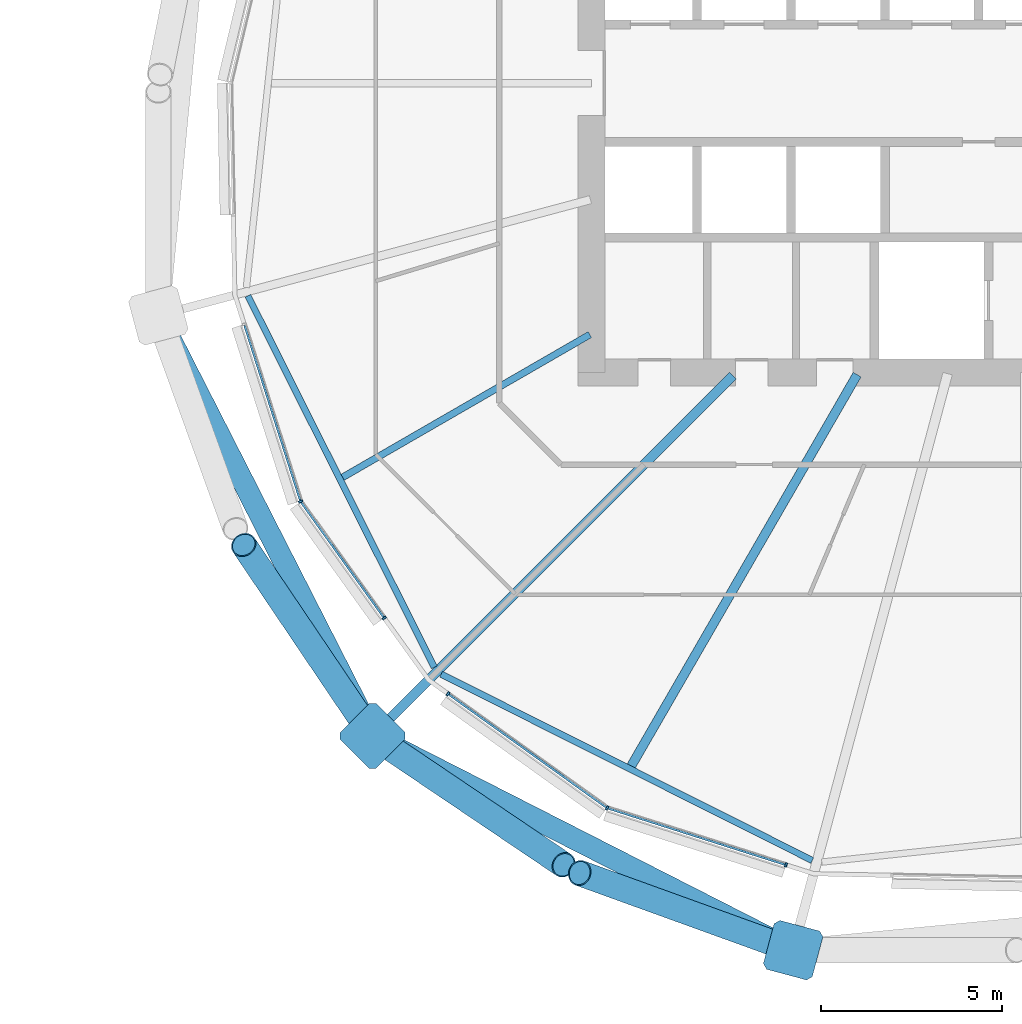
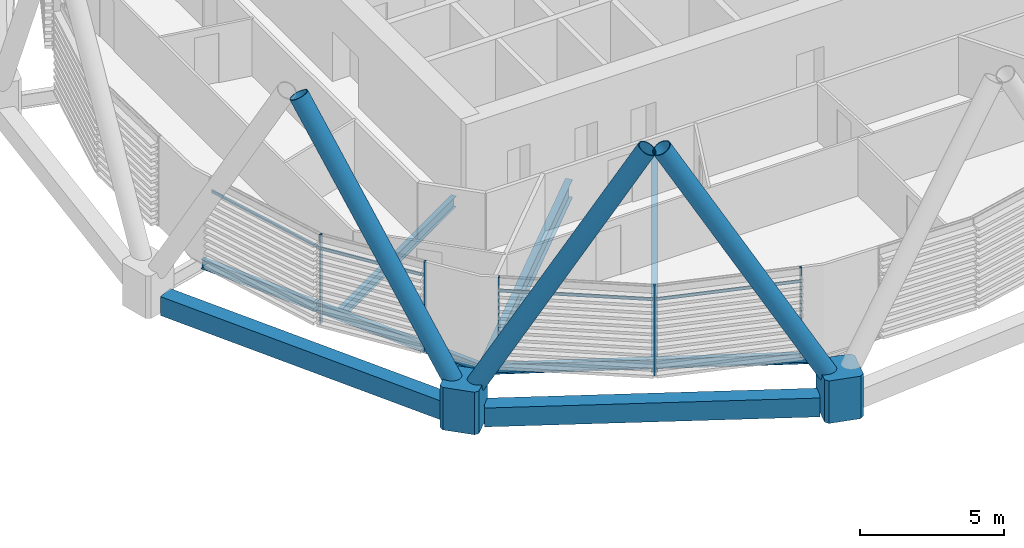
# One storey, part 14 of 38: 14 members, 7 beams, 1 element without a shape of its own.
"""IFC4 building model written with IfcOpenShell, lengths in metres."""

from ifc_helpers import new_model, si_unit, direction, frame, origin, origin_2d, place, context, subcontext, project, spatial, polyline, rectangle, hollow_rectangle, hollow_circle, i_section, outline, extrude, material, material_profile, profile_set, type_object, element, aggregate, save


model = new_model("IFC4")

# Units and contexts
model_context = context("Model", 3, precision=1e-05, world=origin(), true_north=direction((0.0, 1.0)))
body_context = subcontext(model_context, "Body", "Model", "MODEL_VIEW")
ifc_project = project(units=[si_unit("LENGTHUNIT", "METRE"), si_unit("AREAUNIT", "SQUARE_METRE"), si_unit("VOLUMEUNIT", "CUBIC_METRE"), si_unit("PLANEANGLEUNIT", "RADIAN"), si_unit("MASSUNIT", "GRAM", prefix="KILO")], contexts=[model_context])

# Site, building, storey
site_placement = place(None, origin())
site = spatial("IfcSite", under=ifc_project, at=site_placement, CompositionType="ELEMENT")
building_placement = place(site_placement, origin())
building = spatial("IfcBuilding", under=site, at=building_placement, Name="Rimbun Link Towers", CompositionType="ELEMENT")
storey_placement = place(building_placement, frame((0.0, 0.0, 104.39990234375)))
storey = spatial("IfcBuildingStorey", under=building, at=storey_placement, Name="L25", CompositionType="ELEMENT", Elevation=104.39990234375)

# Curtain wall, members
ifc_material_1 = material(Name="Aluminium 6063-T6 and low-iron glass", Category="aluminium")
curtain_wall_type = type_object("IfcCurtainWallType", Name="CW1-Z2 unitised vision wall (zone 2)", PredefinedType="NOTDEFINED", material=ifc_material_1)
curtain_wall_placement = place(storey_placement, origin())
curtain_wall = element("IfcCurtainWall", 1, at=curtain_wall_placement, inside=storey, type_object=curtain_wall_type, Name="CW1 L25 T2", PredefinedType="NOTDEFINED")
ifc_material_2 = material(Name="Aluminium 6063-T6", Category="aluminium")
ifc_material_profile_1 = material_profile(ifc_material_2, rectangle(XDim=0.1201171875, YDim=0.06005859375, at=origin_2d()), Name="MULLION 60X120")
ifc_profile_set_1 = profile_set([ifc_material_profile_1], Name="Aluminium 6063-T6")
member_type_1 = type_object("IfcMemberType", Name="CW1 mullion 60X120", PredefinedType="MULLION", material=ifc_profile_set_1)
member_1_placement = place(storey_placement, frame((11.70263671875, -11.5703125, 0.0), z_axis=(0.0, 0.0, 1.0), x_axis=(-0.893748959364, -0.448567495073, 0.0)))
member_1 = element("IfcMember", 2, at=member_1_placement, type_object=member_type_1, Name="CW1 mullion", PredefinedType="MULLION", context=body_context, shape_type="SweptSolid", body=[
    extrude(rectangle(XDim=0.1201171875, YDim=0.06005859375, at=origin_2d()), origin(), (0.0, 0.0, 1.0), 3.800048828125),
])
member_2_placement = place(storey_placement, frame((14.013671875, -14.7919921875, 0.0), z_axis=(0.0, 0.0, 1.0), x_axis=(-0.812467340473, -0.583006707221, 0.0)))
member_2 = element("IfcMember", 3, at=member_2_placement, type_object=member_type_1, Name="CW1 mullion", PredefinedType="MULLION", context=body_context, shape_type="SweptSolid", body=[
    extrude(rectangle(XDim=0.1201171875, YDim=0.06005859375, at=origin_2d()), origin(), (0.0, 0.0, 1.0), 3.800048828125),
])
member_3_placement = place(storey_placement, frame((20.1796875, -20.04736328125, 0.0), z_axis=(0.0, 0.0, 1.0), x_axis=(-0.448567495073, -0.893748959364, 0.0)))
member_3 = element("IfcMember", 4, at=member_3_placement, type_object=member_type_1, Name="CW1 mullion", PredefinedType="MULLION", context=body_context, shape_type="SweptSolid", body=[
    extrude(rectangle(XDim=0.1201171875, YDim=0.06005859375, at=origin_2d()), origin(), (0.0, 0.0, 1.0), 3.800048828125),
])
member_4_placement = place(storey_placement, frame((15.77978515625, -16.89111328125, 0.0), z_axis=(0.0, 0.0, 1.0), x_axis=(-0.583006707221, -0.812467340473, 0.0)))
member_4 = element("IfcMember", 5, at=member_4_placement, type_object=member_type_1, Name="CW1 mullion", PredefinedType="MULLION", context=body_context, shape_type="SweptSolid", body=[
    extrude(rectangle(XDim=0.1201171875, YDim=0.06005859375, at=origin_2d()), origin(), (0.0, 0.0, 1.0), 3.800048828125),
])
member_5_placement = place(storey_placement, frame((25.12646484375, -21.621337890625, 0.0), z_axis=(0.0, 0.0, 1.0), x_axis=(-0.303057366512, -0.952972314709, 0.0)))
member_5 = element("IfcMember", 6, at=member_5_placement, type_object=member_type_1, Name="CW1 mullion", PredefinedType="MULLION", context=body_context, shape_type="SweptSolid", body=[
    extrude(rectangle(XDim=0.1201171875, YDim=0.06005859375, at=origin_2d()), origin(), (0.0, 0.0, 1.0), 3.800048828125),
])
ifc_material_3 = material(Name="Aluminium 6063-T6", Category="aluminium")
ifc_material_profile_2 = material_profile(ifc_material_3, rectangle(XDim=0.06005859375, YDim=0.1201171875, at=origin_2d()), Name="TRANSOM 60X120")
ifc_profile_set_2 = profile_set([ifc_material_profile_2], Name="Aluminium 6063-T6")
member_type_2 = type_object("IfcMemberType", Name="CW1 transom 60X120", PredefinedType="USERDEFINED", material=ifc_profile_set_2)
member_6_placement = place(storey_placement, frame((11.69189453125, -11.532470703125, 3.2001953125), z_axis=(-0.303026816006, 0.952982029621, 0.0), x_axis=(-0.952982029621, -0.303026816006, 0.0)))
member_6 = element("IfcMember", 7, at=member_6_placement, type_object=member_type_2, Name="CW1 transom", ObjectType="TRANSOM", PredefinedType="USERDEFINED", context=body_context, shape_type="SweptSolid", body=[
    extrude(rectangle(XDim=0.06005859375, YDim=0.1201171875, at=origin_2d()), origin(), (0.0, 0.0, 1.0), 5.07177734375),
])
member_7_placement = place(storey_placement, frame((13.997802734375, -14.7666015625, 3.2001953125), z_axis=(-0.583021204161, 0.812456937627, 0.0), x_axis=(-0.812456937627, -0.583021204161, 0.0)))
member_7 = element("IfcMember", 8, at=member_7_placement, type_object=member_type_2, Name="CW1 transom", ObjectType="TRANSOM", PredefinedType="USERDEFINED", context=body_context, shape_type="SweptSolid", body=[
    extrude(rectangle(XDim=0.06005859375, YDim=0.1201171875, at=origin_2d()), origin(), (0.0, 0.0, 1.0), 3.895751953125),
])
member_8_placement = place(storey_placement, frame((20.1484375, -20.0234375, 3.2001953125), z_axis=(-0.812466294381, 0.583008165033, 0.0), x_axis=(-0.583008165033, -0.812466294381, 0.0)))
member_8 = element("IfcMember", 9, at=member_8_placement, type_object=member_type_2, Name="CW1 transom", ObjectType="TRANSOM", PredefinedType="USERDEFINED", context=body_context, shape_type="SweptSolid", body=[
    extrude(rectangle(XDim=0.06005859375, YDim=0.1201171875, at=origin_2d()), origin(), (0.0, 0.0, 1.0), 5.345458984375),
])
member_9_placement = place(storey_placement, frame((25.098388671875, -21.6103515625, 3.2001953125), z_axis=(-0.952968340457, 0.303069863377, 0.0), x_axis=(-0.303069863377, -0.952968340457, 0.0)))
member_9 = element("IfcMember", 10, at=member_9_placement, type_object=member_type_2, Name="CW1 transom", ObjectType="TRANSOM", PredefinedType="USERDEFINED", context=body_context, shape_type="SweptSolid", body=[
    extrude(rectangle(XDim=0.06005859375, YDim=0.1201171875, at=origin_2d()), origin(), (0.0, 0.0, 1.0), 5.121826171875),
])
aggregate(curtain_wall, [member_1, member_2, member_3, member_4, member_5, member_6, member_7, member_8, member_9])

# Members
ifc_material_4 = material(Name="Steel S460NH", Category="steel")
ifc_material_profile_3 = material_profile(ifc_material_4, hollow_circle(Radius=0.355712890625, WallThickness=0.031982421875, at=origin_2d()), Name="Diagrid diagonal CHS 711x32")
ifc_profile_set_3 = profile_set([ifc_material_profile_3], Name="Steel S460NH")
member_type_3 = type_object("IfcMemberType", Name="Diagrid diagonal CHS 711x32", PredefinedType="BRACE", material=ifc_profile_set_3)
for number, where, z_axis, x_axis, name in (
    (11, (13.55517578125, -17.84619140625, 0.432373046875), (-0.281101928051, 0.416463626263, 0.864603813342), (-0.828858844071, -0.559457788046, 0.0), "Diagrid diagonal T2 L25-L28 12a"),
    (12, (13.90380859375, -18.19482421875, 0.432373046875), (0.416463626263, -0.281101928051, 0.864603813342), (0.559457788046, 0.828858844071, 0.0), "Diagrid diagonal T2 L25-L28 12b"),
):
    element("IfcMember", number, at=place(storey_placement, frame(where, z_axis=z_axis, x_axis=x_axis)), inside=storey, type_object=member_type_3, Name=name, PredefinedType="BRACE", context=body_context, shape_type="SweptSolid", body=[
        extrude(hollow_circle(Radius=0.355712890625, WallThickness=0.031982421875, at=origin_2d()), origin(), (0.0, 0.0, 1.0), 12.185302734375),
    ])
member_10_placement = place(storey_placement, frame((25.091064453125, -23.8955078125, 0.43408203125), z_axis=(-0.467264618541, 0.16895796156, 0.867823129148), x_axis=(-0.340042385054, -0.940410110732, 0.0)))
element("IfcMember", 13, at=member_10_placement, inside=storey, type_object=member_type_3, Name="Diagrid diagonal T2 L25-L28 14a", PredefinedType="BRACE", context=body_context, shape_type="SweptSolid", body=[
    extrude(hollow_circle(Radius=0.355712890625, WallThickness=0.031982421875, at=origin_2d()), origin(), (0.0, 0.0, 1.0), 12.136474609375),
])
ifc_material_5 = material(Name="Cast steel G20Mn5+QT, Rp0.2 300 MPa", Category="steel")
ifc_material_profile_4 = material_profile(ifc_material_5, outline(polyline([(0.699951171875, -0.570068359375), (0.699951171875, 0.570068359375), (0.570068359375, 0.699951171875), (-0.570068359375, 0.699951171875), (-0.699951171875, 0.570068359375), (-0.699951171875, -0.570068359375), (-0.570068359375, -0.699951171875), (0.570068359375, -0.699951171875), (0.699951171875, -0.570068359375)])), Name="NODE 1400x1400")
ifc_profile_set_4 = profile_set([ifc_material_profile_4], Name="Cast steel G20Mn5+QT, Rp0.2 300 MPa")
member_type_4 = type_object("IfcMemberType", Name="Diagrid node cast 1400", PredefinedType="USERDEFINED", material=ifc_profile_set_4)
for number, where, z_axis, x_axis, name in (
    (14, (13.69580078125, -18.05419921875, -0.89990234375), (0.0, 0.0, 1.0), (-0.707106781187, -0.707106781187, 0.0), "Diagrid node L25 12"),
    (15, (25.32470703125, -23.97998046875, -0.89990234375), (0.0, 0.0, 1.0), (-0.258819045103, -0.965925826289, 0.0), "Diagrid node L25 14"),
):
    element("IfcMember", number, at=place(storey_placement, frame(where, z_axis=z_axis, x_axis=x_axis)), inside=storey, type_object=member_type_4, Name=name, ObjectType="Diagrid node", PredefinedType="USERDEFINED", context=body_context, shape_type="SweptSolid", body=[
        extrude(outline(polyline([(0.699951171875, -0.570068359375), (0.699951171875, 0.570068359375), (0.570068359375, 0.699951171875), (-0.570068359375, 0.699951171875), (-0.699951171875, 0.570068359375), (-0.699951171875, -0.570068359375), (-0.570068359375, -0.699951171875), (0.570068359375, -0.699951171875), (0.699951171875, -0.570068359375)])), origin(), (0.0, 0.0, 1.0), 1.800048828125),
    ])

# Beams
ifc_material_6 = material(Name="Steel S355J2", Category="steel")
ifc_material_profile_5 = material_profile(ifc_material_6, hollow_rectangle(XDim=0.60009765625, YDim=0.800048828125, WallThickness=0.0400390625, at=origin_2d()), Name="Exoskeleton ring girder BOX 600x800x40")
ifc_profile_set_5 = profile_set([ifc_material_profile_5], Name="Steel S355J2")
beam_type_1 = type_object("IfcBeamType", Name="Exoskeleton ring girder BOX 600x800x40", PredefinedType="BEAM", material=ifc_profile_set_5)
for number, where, z_axis, x_axis, name in (
    (16, (8.087890625, -7.049072265625, -0.559814453125), (0.454014608307, -0.890994239849, 0.0), (0.890994239849, 0.454014608307, 0.0), "Exoskeleton ring girder L25 05"),
    (17, (14.3193359375, -18.3720703125, -0.559814453125), (0.890994239849, -0.454014608307, 0.0), (0.454014608307, 0.890994239849, 0.0), "Exoskeleton ring girder L25 06"),
):
    element("IfcBeam", number, at=place(storey_placement, frame(where, z_axis=z_axis, x_axis=x_axis)), inside=storey, type_object=beam_type_1, Name=name, PredefinedType="BEAM", context=body_context, shape_type="SweptSolid", body=[
        extrude(hollow_rectangle(XDim=0.60009765625, YDim=0.800048828125, WallThickness=0.0400390625, at=origin_2d()), origin(), (0.0, 0.0, 1.0), 11.651611328125),
    ])
ifc_material_7 = material(Name="Steel S355J2", Category="steel")
ifc_material_profile_6 = material_profile(ifc_material_7, i_section(OverallWidth=0.177978515625, OverallDepth=0.406494140625, WebThickness=0.0078125, FlangeThickness=0.0126953125, at=origin_2d()), Name="UB 406x178x60")
ifc_profile_set_6 = profile_set([ifc_material_profile_6], Name="Steel S355J2")
beam_type_2 = type_object("IfcBeamType", Name="UB 406x178x60", PredefinedType="BEAM", material=ifc_profile_set_6)
beam_1_placement = place(storey_placement, frame((10.24462890625, -5.881103515625, -0.363037109375), z_axis=(0.448563489935, -0.893750969508, 0.0), x_axis=(0.893750969508, 0.448563489935, 0.0)))
element("IfcBeam", 18, at=beam_1_placement, inside=storey, type_object=beam_type_2, Name="Edge beam T2 L25 10-12", PredefinedType="BEAM", context=body_context, shape_type="SweptSolid", body=[
    extrude(i_section(OverallWidth=0.177978515625, OverallDepth=0.406494140625, WebThickness=0.0078125, FlangeThickness=0.0126953125, at=origin_2d()), origin(), (0.0, 0.0, 1.0), 11.498291015625),
])
beam_2_placement = place(storey_placement, frame((15.59228515625, -16.34765625, -0.363037109375), z_axis=(0.893754057386, -0.448557337368, 0.0), x_axis=(0.448557337368, 0.893754057386, 0.0)))
element("IfcBeam", 19, at=beam_2_placement, inside=storey, type_object=beam_type_2, Name="Edge beam T2 L25 12-14", PredefinedType="BEAM", context=body_context, shape_type="SweptSolid", body=[
    extrude(i_section(OverallWidth=0.177978515625, OverallDepth=0.406494140625, WebThickness=0.0078125, FlangeThickness=0.0126953125, at=origin_2d()), origin(), (0.0, 0.0, 1.0), 11.478271484375),
])
ifc_material_8 = material(Name="Steel S355J2", Category="steel")
ifc_material_profile_7 = material_profile(ifc_material_8, i_section(OverallWidth=0.18994140625, OverallDepth=0.453369140625, WebThickness=0.008544921875, FlangeThickness=0.0126953125, at=origin_2d()), Name="UB 457x191x67")
ifc_profile_set_7 = profile_set([ifc_material_profile_7], Name="Steel S355J2")
beam_type_3 = type_object("IfcBeamType", Name="UB 457x191x67", PredefinedType="BEAM", material=ifc_profile_set_7)
beam_3_placement = place(storey_placement, frame((19.70166015625, -6.9560546875, -0.38671875), z_axis=(-0.866022826155, -0.500004464558, 0.0), x_axis=(0.500004464558, -0.866022826155, 0.0)))
element("IfcBeam", 20, at=beam_3_placement, inside=storey, type_object=beam_type_3, Name="Radial beam T2 L25 11", PredefinedType="BEAM", context=body_context, shape_type="SweptSolid", body=[
    extrude(i_section(OverallWidth=0.18994140625, OverallDepth=0.453369140625, WebThickness=0.008544921875, FlangeThickness=0.0126953125, at=origin_2d()), origin(), (0.0, 0.0, 1.0), 7.8935546875),
])
ifc_material_9 = material(Name="Steel S355J2", Category="steel")
ifc_material_profile_8 = material_profile(ifc_material_9, i_section(OverallWidth=0.253662109375, OverallDepth=0.68359375, WebThickness=0.012451171875, FlangeThickness=0.01904296875, at=origin_2d()), Name="UB 686x254x140")
ifc_profile_set_8 = profile_set([ifc_material_profile_8], Name="Steel S355J2")
beam_type_4 = type_object("IfcBeamType", Name="UB 686x254x140", PredefinedType="BEAM", material=ifc_profile_set_8)
beam_4_placement = place(storey_placement, frame((27.093994140625, -8.064208984375, -0.501708984375), z_axis=(-0.499991403274, -0.86603036705, 0.0), x_axis=(0.86603036705, -0.499991403274, 0.0)))
element("IfcBeam", 21, at=beam_4_placement, inside=storey, type_object=beam_type_4, Name="Radial beam T2 L25 13", PredefinedType="BEAM", context=body_context, shape_type="SweptSolid", body=[
    extrude(i_section(OverallWidth=0.253662109375, OverallDepth=0.68359375, WebThickness=0.012451171875, FlangeThickness=0.01904296875, at=origin_2d()), origin(), (0.0, 0.0, 1.0), 12.493896484375),
])
ifc_material_10 = material(Name="Steel S355J2", Category="steel")
ifc_material_profile_9 = material_profile(ifc_material_10, i_section(OverallWidth=0.2666015625, OverallDepth=0.76220703125, WebThickness=0.014404296875, FlangeThickness=0.021484375, at=origin_2d()), Name="UB 762x267x173")
ifc_profile_set_9 = profile_set([ifc_material_profile_9], Name="Steel S355J2")
beam_type_5 = type_object("IfcBeamType", Name="UB 762x267x173", PredefinedType="BEAM", material=ifc_profile_set_9)
beam_5_placement = place(storey_placement, frame((23.655029296875, -8.094970703125, -0.541015625), z_axis=(-0.707106781187, -0.707106781187, 0.0), x_axis=(0.707106781187, -0.707106781187, 0.0)))
element("IfcBeam", 22, at=beam_5_placement, inside=storey, type_object=beam_type_5, Name="Radial beam T2 L25 12", PredefinedType="BEAM", context=body_context, shape_type="SweptSolid", body=[
    extrude(i_section(OverallWidth=0.2666015625, OverallDepth=0.76220703125, WebThickness=0.014404296875, FlangeThickness=0.021484375, at=origin_2d()), origin(), (0.0, 0.0, 1.0), 13.58447265625),
])

save(model, "model.ifc")
